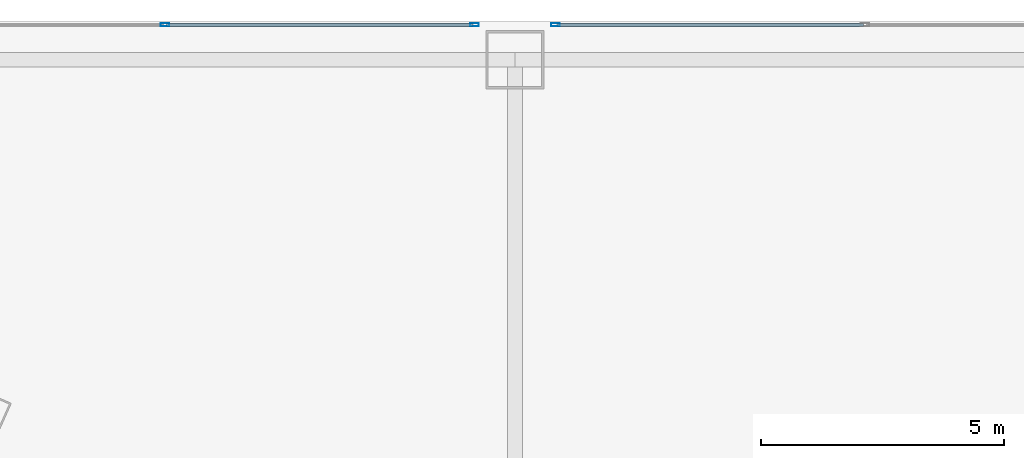
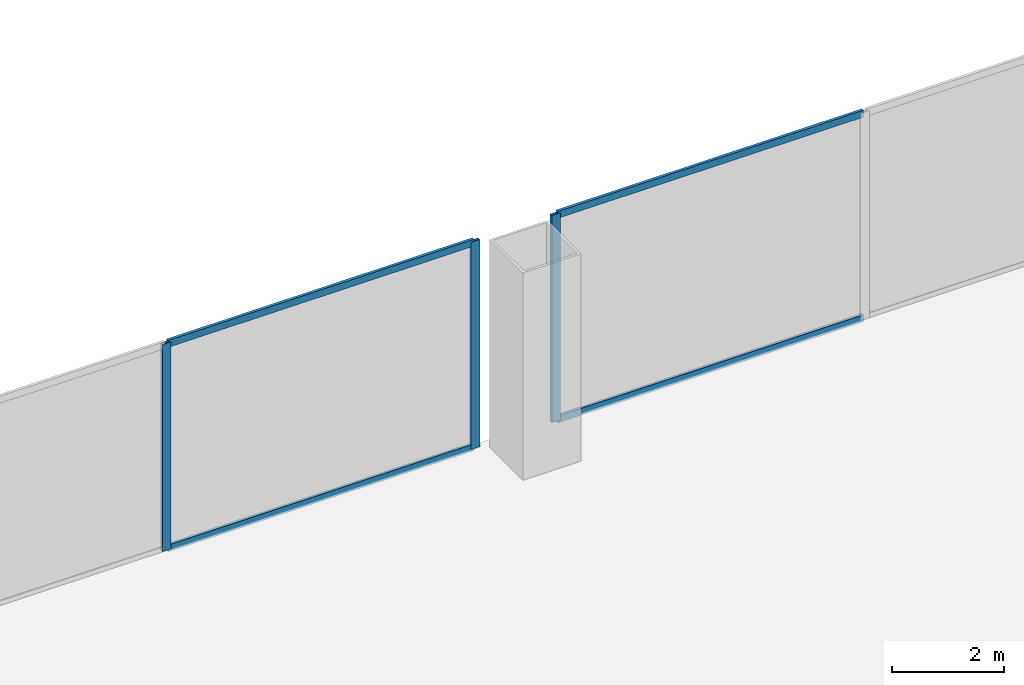
# One storey, part 28 of 40: 7 members, 2 elements without a shape of their own.
"""IFC4 building model written with IfcOpenShell, lengths in metres."""

from ifc_helpers import new_model, si_unit, direction, frame, origin, origin_2d, place, context, subcontext, project, spatial, hollow_rectangle, extrude, source, transform, mapped, material, layer, layer_set, material_profile, profile_set, type_object, element, aggregate, save


model = new_model("IFC4")

# Units and contexts
model_context = context("Model", 3, precision=1e-05, world=origin(), true_north=direction((0.0, 1.0)))
body_context = subcontext(model_context, "Body", "Model", "MODEL_VIEW")
ifc_project = project(units=[si_unit("LENGTHUNIT", "METRE"), si_unit("AREAUNIT", "SQUARE_METRE"), si_unit("VOLUMEUNIT", "CUBIC_METRE"), si_unit("PLANEANGLEUNIT", "RADIAN"), si_unit("MASSUNIT", "GRAM", prefix="KILO"), si_unit("THERMODYNAMICTEMPERATUREUNIT", "KELVIN"), si_unit("POWERUNIT", "WATT")], contexts=[model_context])

# Site, building, storey
site_placement = place(None, origin())
site = spatial("IfcSite", under=ifc_project, at=site_placement, CompositionType="ELEMENT")
building_placement = place(site_placement, origin())
building = spatial("IfcBuilding", under=site, at=building_placement, Name="Yunzhuo Pagoda Commons", CompositionType="ELEMENT")
storey_placement = place(building_placement, frame((0.0, 0.0, 14.39990234375)))
storey = spatial("IfcBuildingStorey", under=building, at=storey_placement, Name="L04", CompositionType="ELEMENT", Elevation=14.39990234375)

# Curtain wall, members
ifc_material = material(Name="Anodized aluminium 6063-T6", Category="aluminium")
ifc_layer = layer(ifc_material, 0.179931640625)
ifc_layer_set = layer_set([ifc_layer], Name="Anodized aluminium 6063-T6")
curtain_wall_type = type_object("IfcCurtainWallType", Name="CW-POD Waterfront Podium Curtain Wall", PredefinedType="NOTDEFINED", material=ifc_layer_set)
curtain_wall_1_placement = place(storey_placement, origin())
curtain_wall_1 = element("IfcCurtainWall", 1, at=curtain_wall_1_placement, inside=storey, type_object=curtain_wall_type, Name="L04 curtain wall CW-L04-N4", PredefinedType="NOTDEFINED")
ifc_material_profile_1 = material_profile(ifc_material, hollow_rectangle(XDim=0.06494140625, YDim=0.179931640625, WallThickness=0.00390625, at=origin_2d()), Name="Anodized aluminium 6063-T6")
ifc_profile_set_1 = profile_set([ifc_material_profile_1], Name="Anodized aluminium 6063-T6")
member_type_1 = type_object("IfcMemberType", Name="CW-POD-M Mullion RHS 180x65x4", PredefinedType="MULLION", material=ifc_profile_set_1)
shared_shape_1 = source(origin(), body_context, "Body", "SweptSolid", [
    extrude(hollow_rectangle(XDim=0.06494140625, YDim=0.179931640625, WallThickness=0.00390625, at=origin_2d()), origin(), (0.0, 0.0, 1.0), 4.52001953125),
])
member_1_placement = place(storey_placement, frame((69.60009765625, 81.919921875, 0.0), z_axis=(0.0, 0.0, 1.0), x_axis=(0.0, 1.0, 0.0)))
member_1 = element("IfcMember", 2, at=member_1_placement, type_object=member_type_1, Name="CW mullion 2", PredefinedType="MULLION", context=body_context, shape_type="MappedRepresentation", body=[
    mapped(shared_shape_1, transform((0.0, 0.0, 0.0), scale=1.0)),
])
member_2_placement = place(storey_placement, frame((75.967529296875, 81.919921875, 0.0), z_axis=(0.0, 0.0, 1.0), x_axis=(0.0, 1.0, 0.0)))
member_2 = element("IfcMember", 3, at=member_2_placement, type_object=member_type_1, Name="CW mullion 3", PredefinedType="MULLION", context=body_context, shape_type="MappedRepresentation", body=[
    mapped(shared_shape_1, transform((0.0, 0.0, 0.0), scale=1.0)),
])

# Curtain wall, member
curtain_wall_2_placement = place(storey_placement, origin())
curtain_wall_2 = element("IfcCurtainWall", 4, at=curtain_wall_2_placement, inside=storey, type_object=curtain_wall_type, Name="L04 curtain wall CW-L04-N5", PredefinedType="NOTDEFINED")
member_3_placement = place(storey_placement, frame((77.632568359375, 81.919921875, 0.0), z_axis=(0.0, 0.0, 1.0), x_axis=(0.0, 1.0, 0.0)))
member_3 = element("IfcMember", 5, at=member_3_placement, type_object=member_type_1, Name="CW mullion 1", PredefinedType="MULLION", context=body_context, shape_type="MappedRepresentation", body=[
    mapped(shared_shape_1, transform((0.0, 0.0, 0.0), scale=1.0)),
])

# Member
ifc_material_profile_2 = material_profile(ifc_material, hollow_rectangle(XDim=0.06005859375, YDim=0.14990234375, WallThickness=0.00390625, at=origin_2d()), Name="Anodized aluminium 6063-T6")
ifc_profile_set_2 = profile_set([ifc_material_profile_2], Name="Anodized aluminium 6063-T6")
member_type_2 = type_object("IfcMemberType", Name="CW-POD-T Transom RHS 150x60x4", PredefinedType="USERDEFINED", material=ifc_profile_set_2)
shared_shape_2 = source(origin(), body_context, "Body", "SweptSolid", [
    extrude(hollow_rectangle(XDim=0.06005859375, YDim=0.14990234375, WallThickness=0.00390625, at=origin_2d()), origin(), (0.0, 0.0, 1.0), 6.302490234375),
])
member_4_placement = place(storey_placement, frame((69.632568359375, 81.919921875, 0.030029296875), z_axis=(1.0, 0.0, 0.0), x_axis=(0.0, 1.0, 0.0)))
member_4 = element("IfcMember", 6, at=member_4_placement, type_object=member_type_2, Name="CW transom 2.1", ObjectType="TRANSOM", PredefinedType="USERDEFINED", context=body_context, shape_type="MappedRepresentation", body=[
    mapped(shared_shape_2, transform((0.0, 0.0, 0.0), scale=1.0)),
])

member_5_placement = place(storey_placement, frame((69.632568359375, 81.919921875, 4.489990234375), z_axis=(1.0, 0.0, 0.0), x_axis=(0.0, 1.0, 0.0)))
member_5 = element("IfcMember", 7, at=member_5_placement, type_object=member_type_2, Name="CW transom 2.2", ObjectType="TRANSOM", PredefinedType="USERDEFINED", context=body_context, shape_type="MappedRepresentation", body=[
    mapped(shared_shape_2, transform((0.0, 0.0, 0.0), scale=1.0)),
])

aggregate(curtain_wall_1, [member_1, member_2, member_4, member_5])

member_6_placement = place(storey_placement, frame((77.6650390625, 81.919921875, 0.030029296875), z_axis=(1.0, 0.0, 0.0), x_axis=(0.0, 1.0, 0.0)))
member_6 = element("IfcMember", 8, at=member_6_placement, type_object=member_type_2, Name="CW transom 1.1", ObjectType="TRANSOM", PredefinedType="USERDEFINED", context=body_context, shape_type="MappedRepresentation", body=[
    mapped(shared_shape_2, transform((0.0, 0.0, 0.0), scale=1.0)),
])

member_7_placement = place(storey_placement, frame((77.6650390625, 81.919921875, 4.489990234375), z_axis=(1.0, 0.0, 0.0), x_axis=(0.0, 1.0, 0.0)))
member_7 = element("IfcMember", 9, at=member_7_placement, type_object=member_type_2, Name="CW transom 1.2", ObjectType="TRANSOM", PredefinedType="USERDEFINED", context=body_context, shape_type="MappedRepresentation", body=[
    mapped(shared_shape_2, transform((0.0, 0.0, 0.0), scale=1.0)),
])

aggregate(curtain_wall_2, [member_3, member_6, member_7])

save(model, "model.ifc")
